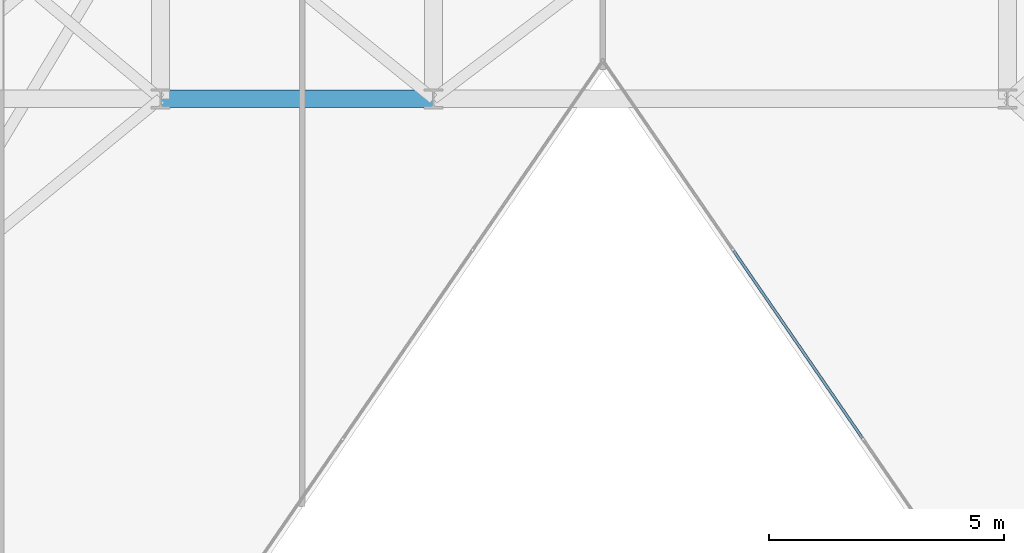
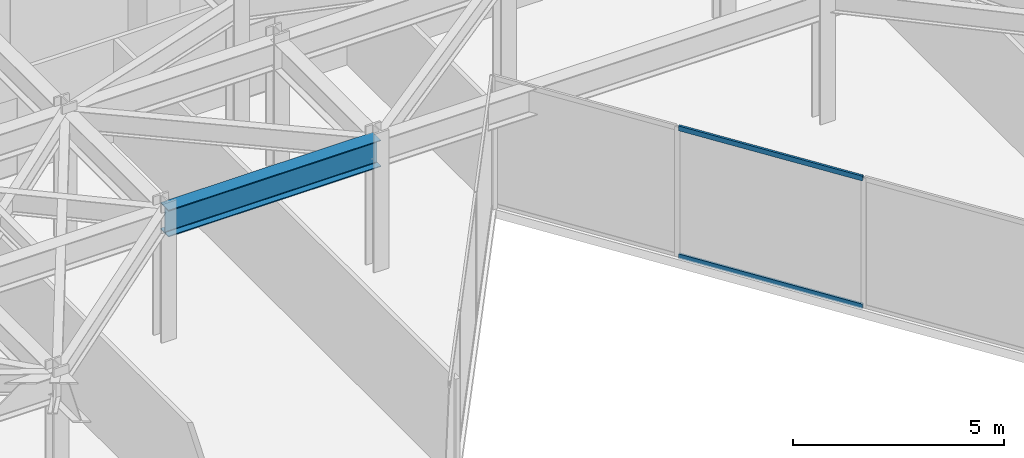
# One storey, part 5 of 21: 2 members, 1 beam, 1 element without a shape of its own.
"""IFC4 building model written with IfcOpenShell, lengths in metres."""

import ifcopenshell
import ifcopenshell.guid

model = None  # the IFC model being written
_history = None  # IfcOwnerHistory: only IFC2X3 demands one
_inside = {}  # id of a spatial element -> (the spatial element, [elements in it])
_under = {}  # id of a project, library or spatial element -> (it, [spatial elements below it])
_declared = {}  # id of a project -> (the project, [libraries it declares])
_typed = {}  # id of a type object -> (the type object, [elements of that type])
_made_of = {}  # id of a material, layer set ... -> (it, [elements and type objects made of it])


def new_model(schema):
    """Start an empty IFC model of exactly this schema.

    Asked for "IFC4X3", IfcOpenShell would pick the latest addendum, in which some entities
    have other attributes; the version numbers below select the first issue.
    IFC2X3 requires an IfcOwnerHistory on every rooted entity: one is made here for all.
    """
    global model, _history
    if schema == "IFC4X3":
        model = ifcopenshell.file(schema_version=(4, 3, 0, 0))
    else:
        model = ifcopenshell.file(schema=schema)
    _inside.clear()
    _under.clear()
    _declared.clear()
    _typed.clear()
    _made_of.clear()
    _history = None
    if model.schema == "IFC2X3":
        org = make("IfcOrganization", Name="unknown")
        user = make(
            "IfcPersonAndOrganization",
            ThePerson=make("IfcPerson", FamilyName="unknown"),
            TheOrganization=org,
        )
        app = make(
            "IfcApplication",
            ApplicationDeveloper=org,
            Version="unknown",
            ApplicationFullName="unknown",
            ApplicationIdentifier="unknown",
        )
        _history = make(
            "IfcOwnerHistory",
            OwningUser=user,
            OwningApplication=app,
            ChangeAction="ADDED",
            CreationDate=0,
        )
    return model


def make(cls, **values):
    """One entity of the class cls with the attributes given. An attribute that is None is left unset."""
    return model.create_entity(
        cls, **{name: value for name, value in values.items() if value is not None}
    )


def rooted(cls, **values):
    """An entity with a GlobalId (a new one), such as an element, a storey or a relation."""
    return make(cls, GlobalId=ifcopenshell.guid.new(), OwnerHistory=_history, **values)


def si_unit(unit_type, name, prefix=None):
    """IfcSIUnit, for example si_unit("LENGTHUNIT", "METRE", prefix="MILLI")."""
    return make("IfcSIUnit", UnitType=unit_type, Prefix=prefix, Name=name)


def assignment(units):
    """IfcUnitAssignment: the units of a project."""
    return None if units is None else make("IfcUnitAssignment", Units=units)


def point(xyz):
    """IfcCartesianPoint."""
    return None if xyz is None else make("IfcCartesianPoint", Coordinates=xyz)


def direction(xyz):
    """IfcDirection."""
    return None if xyz is None else make("IfcDirection", DirectionRatios=xyz)


def frame(location, z_axis=None, x_axis=None):
    """IfcAxis2Placement3D, a coordinate frame: its origin and axes. An axis left out is left unset."""
    return make(
        "IfcAxis2Placement3D",
        Location=point(location),
        Axis=direction(z_axis),
        RefDirection=direction(x_axis),
    )


def frame_2d(location, x_axis=None):
    """IfcAxis2Placement2D, a coordinate frame in the plane: its origin and x axis."""
    return make(
        "IfcAxis2Placement2D", Location=point(location), RefDirection=direction(x_axis)
    )


def origin():
    """The frame at (0, 0, 0) with its axes left unset."""
    return frame((0.0, 0.0, 0.0))


def origin_2d():
    """The frame at (0, 0) in the plane with its x axis left unset."""
    return frame_2d((0.0, 0.0))


def place(relative_to, where):
    """IfcLocalPlacement: puts the frame where relative to a parent placement (None: the world)."""
    return make(
        "IfcLocalPlacement", PlacementRelTo=relative_to, RelativePlacement=where
    )


def context(
    kind, dimensions, precision=None, world=None, true_north=None, identifier=None
):
    """IfcGeometricRepresentationContext, for example the 3D "Model" context."""
    return make(
        "IfcGeometricRepresentationContext",
        ContextIdentifier=identifier,
        ContextType=kind,
        CoordinateSpaceDimension=dimensions,
        Precision=precision,
        WorldCoordinateSystem=world,
        TrueNorth=true_north,
    )


def subcontext(parent, identifier, kind, view, scale=None):
    """IfcGeometricRepresentationSubContext, for example "Body" below "Model"."""
    return make(
        "IfcGeometricRepresentationSubContext",
        ContextIdentifier=identifier,
        ContextType=kind,
        ParentContext=parent,
        TargetScale=scale,
        TargetView=view,
    )


def project(units=None, contexts=None):
    """IfcProject with its units and contexts."""
    return rooted(
        "IfcProject",
        Name="project",
        RepresentationContexts=contexts,
        UnitsInContext=assignment(units),
    )


def spatial(cls, under=None, at=None, **own):
    """A site, building, storey or space (cls), placed at a placement, below another one or the project."""
    s = rooted(cls, ObjectPlacement=at, **own)
    if under is not None:
        _under.setdefault(under.id(), (under, []))[1].append(s)
    return s


def profile(cls, at=None, kind="AREA", **sizes):
    """A parametric profile (cls). Its sizes go by their IFC names, for example OverallWidth=200.0."""
    return make(cls, ProfileType=kind, Position=at, **sizes)


def hollow_rectangle(**sizes):
    """IfcRectangleHollowProfileDef."""
    return profile("IfcRectangleHollowProfileDef", **sizes)


def i_section(**sizes):
    """IfcIShapeProfileDef."""
    return profile("IfcIShapeProfileDef", **sizes)


def extrude(swept, where, along, depth):
    """IfcExtrudedAreaSolid: the profile swept, set in the frame where, extruded along a direction by depth."""
    return make(
        "IfcExtrudedAreaSolid",
        SweptArea=swept,
        Position=where,
        ExtrudedDirection=direction(along),
        Depth=depth,
    )


def shape(context_of_items, identifier, shape_type, items):
    """IfcShapeRepresentation: the items that make up one representation, for example the "Body"."""
    return make(
        "IfcShapeRepresentation",
        ContextOfItems=context_of_items,
        RepresentationIdentifier=identifier,
        RepresentationType=shape_type,
        Items=items,
    )


def material(Name=None, Category=None):
    """IfcMaterial."""
    return make("IfcMaterial", Name=Name, Category=Category)


def layer(
    of_material, thickness, ventilated=None, Name=None, Category=None, Priority=None
):
    """IfcMaterialLayer: one layer of a wall or slab, of a material (None: an air gap)."""
    return make(
        "IfcMaterialLayer",
        Material=of_material,
        LayerThickness=thickness,
        IsVentilated=ventilated,
        Name=Name,
        Category=Category,
        Priority=Priority,
    )


def layer_set(layers, Name=None):
    """IfcMaterialLayerSet."""
    return make("IfcMaterialLayerSet", MaterialLayers=layers, LayerSetName=Name)


def material_profile(
    of_material, cross_section, Name=None, Category=None, Priority=None
):
    """IfcMaterialProfile: a cross section and its material."""
    return make(
        "IfcMaterialProfile",
        Name=Name,
        Material=of_material,
        Profile=cross_section,
        Priority=Priority,
        Category=Category,
    )


def profile_set(profiles, Name=None, composite=None):
    """IfcMaterialProfileSet."""
    return make(
        "IfcMaterialProfileSet",
        Name=Name,
        MaterialProfiles=profiles,
        CompositeProfile=composite,
    )


def made_of(thing, what):
    """Note that an element or type object is made of a material, layer set ...; save() writes the relation."""
    if what is not None:
        _made_of.setdefault(what.id(), (what, []))[1].append(thing)
    return thing


def type_object(cls, material=None, **own):
    """A type object (cls), such as IfcWallType, which elements share."""
    return made_of(rooted(cls, **own), material)


def element(
    cls,
    number,
    at=None,
    inside=None,
    cuts=None,
    type_object=None,
    material=None,
    context=None,
    identifier="Body",
    shape_type=None,
    held_by="IfcProductDefinitionShape",
    body=None,
    shapes=None,
    **own,
):
    """One element of the class cls, such as IfcWall. Its Tag is "e" and its number.

    at: its placement. inside: the storey or other place that contains it. cuts: it is an
    opening in that element (IfcRelVoidsElement). A single representation is given by context,
    identifier, shape_type and body (its items); several are given by shapes. held_by: the class
    of the entity that holds the representations. save() writes the other relations.
    """
    e = rooted(cls, Tag="e%d" % number, ObjectPlacement=at, **own)
    if body is not None:
        shapes = [shape(context, identifier, shape_type, body)]
    if shapes is not None:
        e.Representation = make(held_by, Representations=shapes)
    if inside is not None:
        _inside.setdefault(inside.id(), (inside, []))[1].append(e)
    if cuts is not None:
        rooted(
            "IfcRelVoidsElement", RelatingBuildingElement=cuts, RelatedOpeningElement=e
        )
    if type_object is not None:
        _typed.setdefault(type_object.id(), (type_object, []))[1].append(e)
    return made_of(e, material)


def aggregate(whole, parts):
    """IfcRelAggregates: a whole, such as a stair, and the parts it consists of."""
    return rooted("IfcRelAggregates", RelatingObject=whole, RelatedObjects=parts)


def save(model, path):
    """Write the relations noted so far, then the file.

    IfcRelAggregates (storeys below a building ...), IfcRelContainedInSpatialStructure (elements
    in a storey), IfcRelDefinesByType, IfcRelAssociatesMaterial and IfcRelDeclares: one each for
    every whole, place, type object, material and project.
    """
    for whole, parts in _under.values():
        aggregate(whole, parts)
    for where, things in _inside.values():
        rooted(
            "IfcRelContainedInSpatialStructure",
            RelatedElements=things,
            RelatingStructure=where,
        )
    for kind, things in _typed.values():
        rooted("IfcRelDefinesByType", RelatedObjects=things, RelatingType=kind)
    for what, things in _made_of.values():
        rooted("IfcRelAssociatesMaterial", RelatedObjects=things, RelatingMaterial=what)
    for by, libraries in _declared.values():
        rooted("IfcRelDeclares", RelatingContext=by, RelatedDefinitions=libraries)
    model.write(path)


model = new_model("IFC4")

# Units and contexts
model_context = context("Model", 3, precision=1e-05, world=origin(), true_north=direction((0.0, 1.0)))
body_context = subcontext(model_context, "Body", "Model", "MODEL_VIEW")
ifc_project = project(units=[si_unit("LENGTHUNIT", "METRE"), si_unit("AREAUNIT", "SQUARE_METRE"), si_unit("VOLUMEUNIT", "CUBIC_METRE"), si_unit("PLANEANGLEUNIT", "RADIAN"), si_unit("MASSUNIT", "GRAM", prefix="KILO")], contexts=[model_context])

# Site, building, storey
site_placement = place(None, origin())
site = spatial("IfcSite", under=ifc_project, at=site_placement, CompositionType="ELEMENT")
building_placement = place(site_placement, origin())
building = spatial("IfcBuilding", under=site, at=building_placement, Name="Kravanh Interchange Tower", CompositionType="ELEMENT")
storey_placement = place(building_placement, frame((0.0, 0.0, 168.5)))
storey = spatial("IfcBuildingStorey", under=building, at=storey_placement, Name="L40", CompositionType="ELEMENT", Elevation=168.5)

# Curtain wall, members
ifc_material_1 = material(Name="Anodised Bronze Aluminium", Category="aluminium")
ifc_layer = layer(ifc_material_1, 0.179931640625)
ifc_layer_set = layer_set([ifc_layer], Name="Unitised Curtain Wall System CW-Z3 Upper Office")
curtain_wall_type = type_object("IfcCurtainWallType", Name="Unitised Curtain Wall System CW-Z3 Upper Office", PredefinedType="NOTDEFINED", material=ifc_layer_set)
curtain_wall_placement = place(storey_placement, origin())
curtain_wall = element("IfcCurtainWall", 1, at=curtain_wall_placement, inside=storey, type_object=curtain_wall_type, Name="L40 Unitised Curtain Wall CW-L40-03", PredefinedType="NOTDEFINED")
ifc_material_2 = material(Name="Anodised Bronze Aluminium", Category="aluminium")
ifc_material_profile_1 = material_profile(ifc_material_2, hollow_rectangle(XDim=0.06005859375, YDim=0.139892578125, WallThickness=0.00390625, at=origin_2d()), Name="ALU60X140X4")
ifc_profile_set_1 = profile_set([ifc_material_profile_1], Name="Anodised Bronze Aluminium")
member_type = type_object("IfcMemberType", Name="Curtain Wall Transom ALU60X140X4 Bronze", PredefinedType="USERDEFINED", material=ifc_profile_set_1)
member_1_placement = place(storey_placement, frame((47.714599609375, 19.590576171875, 0.030029296875), z_axis=(-0.566537417683, 0.824036015211, 0.0), x_axis=(-0.824036015211, -0.566537417683, 0.0)))
member_1 = element("IfcMember", 2, at=member_1_placement, type_object=member_type, Name="CW-Z3 transom 3.1", ObjectType="TRANSOM", PredefinedType="USERDEFINED", context=body_context, shape_type="SweptSolid", body=[
    extrude(hollow_rectangle(XDim=0.06005859375, YDim=0.139892578125, WallThickness=0.00390625, at=origin_2d()), origin(), (0.0, 0.0, 1.0), 4.822265625),
])
member_2_placement = place(storey_placement, frame((47.714599609375, 19.590576171875, 3.72509765625), z_axis=(-0.566537417683, 0.824036015211, 0.0), x_axis=(-0.824036015211, -0.566537417683, 0.0)))
member_2 = element("IfcMember", 3, at=member_2_placement, type_object=member_type, Name="CW-Z3 transom 3.2", ObjectType="TRANSOM", PredefinedType="USERDEFINED", context=body_context, shape_type="SweptSolid", body=[
    extrude(hollow_rectangle(XDim=0.06005859375, YDim=0.139892578125, WallThickness=0.00390625, at=origin_2d()), origin(), (0.0, 0.0, 1.0), 4.822265625),
])
aggregate(curtain_wall, [member_1, member_2])

# Beam
ifc_material_3 = material(Name="Structural Steel S355", Category="steel")
ifc_material_profile_2 = material_profile(ifc_material_3, i_section(OverallWidth=0.381103515625, OverallDepth=0.77294921875, WebThickness=0.0166015625, FlangeThickness=0.027099609375, FilletRadius=0.02490234375, at=origin_2d()), Name="W30X173")
ifc_profile_set_2 = profile_set([ifc_material_profile_2], Name="Structural Steel S355")
beam_type = type_object("IfcBeamType", Name="Floor Beam W30X173 Structural Steel S355", PredefinedType="BEAM", material=ifc_profile_set_2)
beam_placement = place(storey_placement, frame((32.800048828125, 26.800048828125, 3.368408203125), z_axis=(1.0, 0.0, 0.0), x_axis=(0.0, 1.0, 0.0)))
element("IfcBeam", 4, at=beam_placement, inside=storey, type_object=beam_type, Name="L40 Primary Floor Girder 42", PredefinedType="BEAM", context=body_context, shape_type="SweptSolid", body=[
    extrude(i_section(OverallWidth=0.381103515625, OverallDepth=0.77294921875, WebThickness=0.0166015625, FlangeThickness=0.027099609375, FilletRadius=0.02490234375, at=origin_2d()), origin(), (0.0, 0.0, 1.0), 5.800048828125),
])

save(model, "model.ifc")
